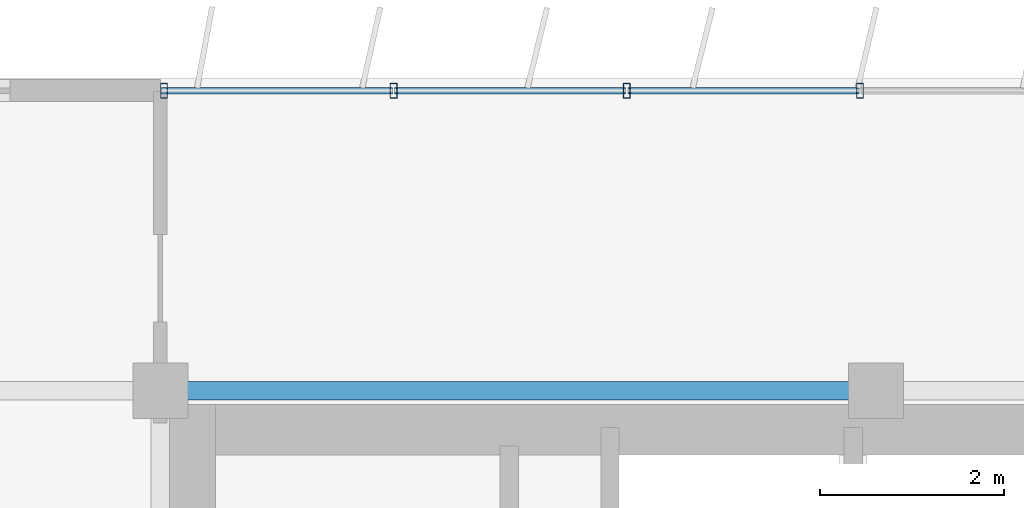
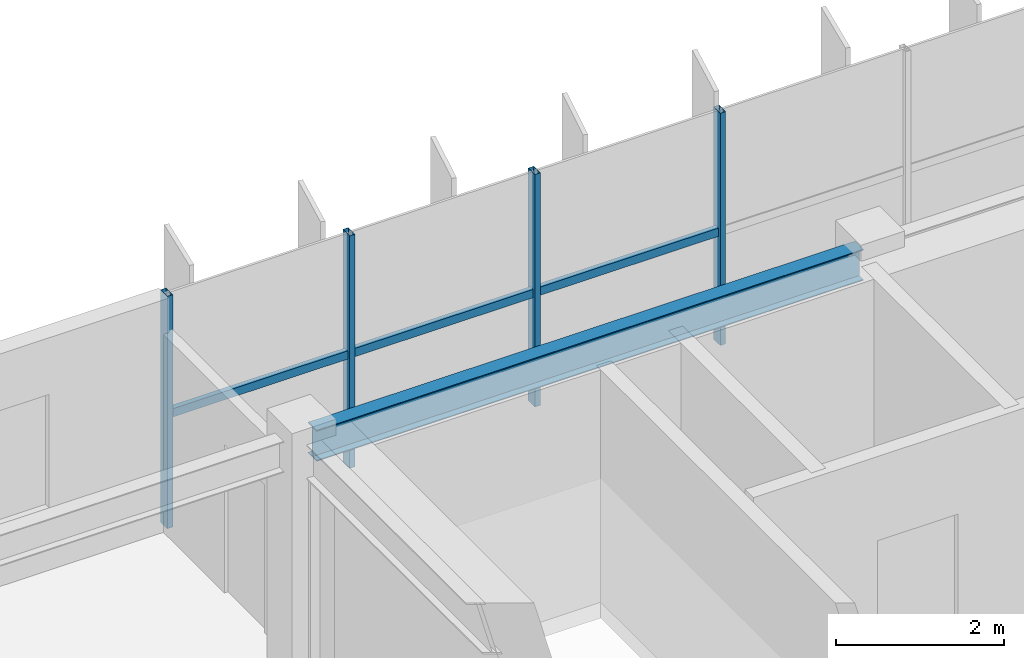
# One storey, part 6 of 21: 7 members, 1 beam, 1 element without a shape of its own.
"""IFC4 building model written with IfcOpenShell, lengths in metres."""

from ifc_helpers import new_model, si_unit, direction, frame, origin, origin_2d, place, context, subcontext, project, spatial, hollow_rectangle, i_section, extrude, source, transform, mapped, material, material_profile, profile_set, type_object, element, aggregate, save


model = new_model("IFC4")

# Units and contexts
model_context = context("Model", 3, precision=1e-05, world=origin(), true_north=direction((0.0, 1.0)))
body_context = subcontext(model_context, "Body", "Model", "MODEL_VIEW")
ifc_project = project(units=[si_unit("LENGTHUNIT", "METRE"), si_unit("AREAUNIT", "SQUARE_METRE"), si_unit("VOLUMEUNIT", "CUBIC_METRE"), si_unit("PLANEANGLEUNIT", "RADIAN"), si_unit("MASSUNIT", "GRAM", prefix="KILO")], contexts=[model_context])

# Site, building, storey
site_placement = place(None, origin())
site = spatial("IfcSite", under=ifc_project, at=site_placement, CompositionType="ELEMENT")
building_placement = place(site_placement, origin())
building = spatial("IfcBuilding", under=site, at=building_placement, Name="Trelvane Seafront Commons", CompositionType="ELEMENT")
storey_placement = place(building_placement, frame((0.0, 0.0, 255.89990234375)))
storey = spatial("IfcBuildingStorey", under=building, at=storey_placement, Name="L66", CompositionType="ELEMENT", Elevation=255.89990234375)

# Beam
ifc_material_1 = material(Name="Steel SM355 (S355)", Category="steel")
ifc_material_profile_1 = material_profile(ifc_material_1, i_section(OverallWidth=0.199951171875, OverallDepth=0.449951171875, WebThickness=0.009033203125, FlangeThickness=0.013916015625, at=origin_2d()), Name="H-450x200x9x14")
ifc_profile_set_1 = profile_set([ifc_material_profile_1], Name="Steel SM355 (S355)")
beam_type = type_object("IfcBeamType", Name="STR-SPD-H450", PredefinedType="SPANDREL", material=ifc_profile_set_1)
shared_shape_1 = source(origin(), body_context, "Body", "SweptSolid", [
    extrude(i_section(OverallWidth=0.199951171875, OverallDepth=0.449951171875, WebThickness=0.009033203125, FlangeThickness=0.013916015625, at=origin_2d()), origin(), (0.0, 0.0, 1.0), 7.5),
])
beam_placement = place(storey_placement, frame((15.75, 45.10009765625, 3.14501953125), z_axis=(1.0, 0.0, 0.0), x_axis=(0.0, 1.0, 0.0)))
element("IfcBeam", 1, at=beam_placement, inside=storey, type_object=beam_type, Name="L66 Primary Girder G-23", PredefinedType="SPANDREL", context=body_context, shape_type="MappedRepresentation", body=[
    mapped(shared_shape_1, transform((0.0, 0.0, 0.0), x_axis=(1.0, 0.0, 0.0), y_axis=(0.0, 1.0, 0.0), z_axis=(0.0, 0.0, 1.0), scale=1.0)),
])

# Curtain wall, members
ifc_material_2 = material(Name="Anodised pale-silver aluminium", Category="aluminium")
curtain_wall_type = type_object("IfcCurtainWallType", Name="ARCH-CW5-UPTOWER", PredefinedType="NOTDEFINED", material=ifc_material_2)
curtain_wall_placement = place(storey_placement, origin())
curtain_wall = element("IfcCurtainWall", 2, at=curtain_wall_placement, inside=storey, type_object=curtain_wall_type, Name="CW-L66-0110", PredefinedType="NOTDEFINED")
ifc_material_profile_2 = material_profile(ifc_material_2, hollow_rectangle(XDim=0.070068359375, YDim=0.1201171875, WallThickness=0.00390625, at=origin_2d()), Name="TRAN-70x120x4")
ifc_profile_set_2 = profile_set([ifc_material_profile_2], Name="Anodised pale-silver aluminium")
member_type_1 = type_object("IfcMemberType", Name="ARCH-CW-TRAN-120", PredefinedType="USERDEFINED", material=ifc_profile_set_2)
shared_shape_2 = source(origin(), body_context, "Body", "SweptSolid", [
    extrude(hollow_rectangle(XDim=0.070068359375, YDim=0.1201171875, WallThickness=0.00390625, at=origin_2d()), origin(), (0.0, 0.0, 1.0), 2.51708984375),
])
member_1_placement = place(storey_placement, frame((15.612060546875, 48.3701171875, 1.6181640625), z_axis=(1.0, 0.0, 0.0), x_axis=(0.0, 1.0, 0.0)))
member_1 = element("IfcMember", 3, at=member_1_placement, type_object=member_type_1, Name="CW-L66-0110-T00", ObjectType="TRANSOM", PredefinedType="USERDEFINED", context=body_context, shape_type="MappedRepresentation", body=[
    mapped(shared_shape_2, transform((0.0, 0.0, 0.0), x_axis=(1.0, 0.0, 0.0), y_axis=(0.0, 1.0, 0.0), z_axis=(0.0, 0.0, 1.0), scale=1.0)),
])
member_2_placement = place(storey_placement, frame((18.1533203125, 48.3701171875, 1.6181640625), z_axis=(1.0, 0.0, 0.0), x_axis=(0.0, 1.0, 0.0)))
member_2 = element("IfcMember", 4, at=member_2_placement, type_object=member_type_1, Name="CW-L66-0110-T01", ObjectType="TRANSOM", PredefinedType="USERDEFINED", context=body_context, shape_type="MappedRepresentation", body=[
    mapped(shared_shape_2, transform((0.0, 0.0, 0.0), x_axis=(1.0, 0.0, 0.0), y_axis=(0.0, 1.0, 0.0), z_axis=(0.0, 0.0, 1.0), scale=1.0)),
])
member_3_placement = place(storey_placement, frame((20.6943359375, 48.3701171875, 1.6181640625), z_axis=(1.0, 0.0, 0.0), x_axis=(0.0, 1.0, 0.0)))
member_3 = element("IfcMember", 5, at=member_3_placement, type_object=member_type_1, Name="CW-L66-0110-T02", ObjectType="TRANSOM", PredefinedType="USERDEFINED", context=body_context, shape_type="MappedRepresentation", body=[
    mapped(shared_shape_2, transform((0.0, 0.0, 0.0), x_axis=(1.0, 0.0, 0.0), y_axis=(0.0, 1.0, 0.0), z_axis=(0.0, 0.0, 1.0), scale=1.0)),
])
ifc_material_profile_3 = material_profile(ifc_material_2, hollow_rectangle(XDim=0.074951171875, YDim=0.159912109375, WallThickness=0.00390625, at=origin_2d()), Name="MULL-75x160x4")
ifc_profile_set_3 = profile_set([ifc_material_profile_3], Name="Anodised pale-silver aluminium")
member_type_2 = type_object("IfcMemberType", Name="ARCH-CW-MULL-160", PredefinedType="MULLION", material=ifc_profile_set_3)
shared_shape_3 = source(origin(), body_context, "Body", "SweptSolid", [
    extrude(hollow_rectangle(XDim=0.074951171875, YDim=0.159912109375, WallThickness=0.00390625, at=origin_2d()), origin(), (0.0, 0.0, 1.0), 3.3701171875),
])
member_4_placement = place(storey_placement, frame((15.639892578125, 48.3701171875, 0.0), z_axis=(0.0, 0.0, 1.0), x_axis=(1.0, 0.0, 0.0)))
member_4 = element("IfcMember", 6, at=member_4_placement, type_object=member_type_2, Name="CW-L66-0110-M00", PredefinedType="MULLION", context=body_context, shape_type="MappedRepresentation", body=[
    mapped(shared_shape_3, transform((0.0, 0.0, 0.0), x_axis=(1.0, 0.0, 0.0), y_axis=(0.0, 1.0, 0.0), z_axis=(0.0, 0.0, 1.0), scale=1.0)),
])
member_5_placement = place(storey_placement, frame((18.14111328125, 48.3701171875, 0.0), z_axis=(0.0, 0.0, 1.0), x_axis=(1.0, 0.0, 0.0)))
member_5 = element("IfcMember", 7, at=member_5_placement, type_object=member_type_2, Name="CW-L66-0110-M01", PredefinedType="MULLION", context=body_context, shape_type="MappedRepresentation", body=[
    mapped(shared_shape_3, transform((0.0, 0.0, 0.0), x_axis=(1.0, 0.0, 0.0), y_axis=(0.0, 1.0, 0.0), z_axis=(0.0, 0.0, 1.0), scale=1.0)),
])
member_6_placement = place(storey_placement, frame((20.682373046875, 48.3701171875, 0.0), z_axis=(0.0, 0.0, 1.0), x_axis=(1.0, 0.0, 0.0)))
member_6 = element("IfcMember", 8, at=member_6_placement, type_object=member_type_2, Name="CW-L66-0110-M02", PredefinedType="MULLION", context=body_context, shape_type="MappedRepresentation", body=[
    mapped(shared_shape_3, transform((0.0, 0.0, 0.0), x_axis=(1.0, 0.0, 0.0), y_axis=(0.0, 1.0, 0.0), z_axis=(0.0, 0.0, 1.0), scale=1.0)),
])
member_7_placement = place(storey_placement, frame((23.223388671875, 48.3701171875, 0.0), z_axis=(0.0, 0.0, 1.0), x_axis=(1.0, 0.0, 0.0)))
member_7 = element("IfcMember", 9, at=member_7_placement, type_object=member_type_2, Name="CW-L66-0110-M03", PredefinedType="MULLION", context=body_context, shape_type="MappedRepresentation", body=[
    mapped(shared_shape_3, transform((0.0, 0.0, 0.0), x_axis=(1.0, 0.0, 0.0), y_axis=(0.0, 1.0, 0.0), z_axis=(0.0, 0.0, 1.0), scale=1.0)),
])
aggregate(curtain_wall, [member_4, member_5, member_6, member_7, member_1, member_2, member_3])

save(model, "model.ifc")
